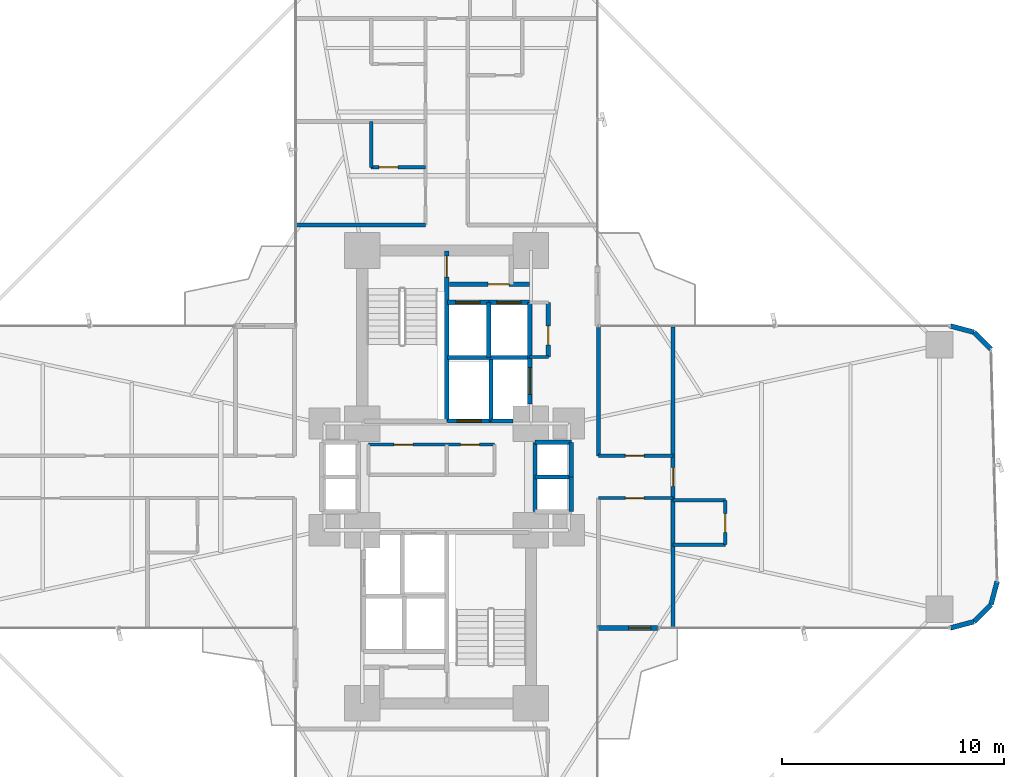
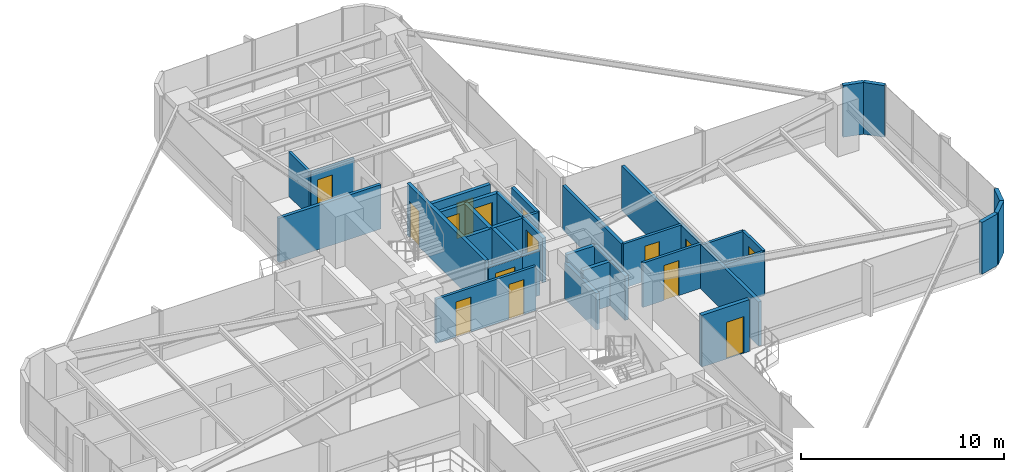
# One storey, part 23 of 25: 35 walls, 15 doors, 15 openings.
"""IFC4 building model written with IfcOpenShell, lengths in metres."""

from ifc_helpers import new_model, si_unit, direction, frame, frame_2d, origin, origin_2d, place, context, subcontext, project, spatial, rectangle, extrude, source, transform, mapped, material, layer, layer_set, type_object, element, fill, save


model = new_model("IFC4")

# Units and contexts
model_context = context("Model", 3, precision=1e-05, world=origin(), true_north=direction((0.0, 1.0)))
body_context = subcontext(model_context, "Body", "Model", "MODEL_VIEW")
ifc_project = project(units=[si_unit("LENGTHUNIT", "METRE"), si_unit("AREAUNIT", "SQUARE_METRE"), si_unit("VOLUMEUNIT", "CUBIC_METRE"), si_unit("PLANEANGLEUNIT", "RADIAN"), si_unit("MASSUNIT", "GRAM", prefix="KILO")], contexts=[model_context])

# Site, building, storey
site_placement = place(None, origin())
site = spatial("IfcSite", under=ifc_project, at=site_placement, CompositionType="ELEMENT")
building_placement = place(site_placement, origin())
building = spatial("IfcBuilding", under=site, at=building_placement, Name="Sahyath Konkavel Grand Hotel", CompositionType="ELEMENT")
storey_placement = place(building_placement, frame((0.0, 0.0, 54.39990234375)))
storey = spatial("IfcBuildingStorey", under=building, at=storey_placement, Name="L14", CompositionType="ELEMENT", Elevation=54.39990234375)

# Wall, opening, door
ifc_material_1 = material(Name="Warm Buff Sandstone Insulated Concrete C40/50", Category="masonry")
ifc_layer_1 = layer(ifc_material_1, 0.219970703125)
ifc_layer_set_1 = layer_set([ifc_layer_1], Name="Warm Buff Sandstone Insulated Concrete C40/50")
wall_type_1 = type_object("IfcWallType", Name="WLL-BALC-THRESH", PredefinedType="STANDARD", material=ifc_layer_set_1)
wall_1_placement = place(storey_placement, frame((6.800048828125, -6.800048828125, 0.0), z_axis=(0.0, 0.0, 1.0), x_axis=(1.0, 0.0, 0.0)))
wall_1 = element("IfcWall", 1, at=wall_1_placement, inside=storey, type_object=wall_type_1, Name="L14 Winter-Garden Threshold Wall 0", PredefinedType="STANDARD", context=body_context, shape_type="SweptSolid", body=[
    extrude(rectangle(XDim=2.699951171875, YDim=0.219970703125, at=frame_2d((1.35009765625, 0.0))), origin(), (0.0, 0.0, 1.0), 3.110107421875),
])
opening_1_placement = place(wall_1_placement, frame((1.39990234375, 0.0, 0.0)))
opening_1 = element("IfcOpeningElement", 2, at=opening_1_placement, cuts=wall_1, Name="Opening D-TR1", PredefinedType="OPENING", context=body_context, shape_type="SweptSolid", body=[
    extrude(rectangle(XDim=1.0, YDim=2.199951171875, at=frame_2d((0.5, 1.10009765625))), frame((0.0, 0.1201171875, 0.0), z_axis=(0.0, -1.0, 0.0), x_axis=(1.0, 0.0, 0.0)), (0.0, 0.0, 1.0), 0.239990234375),
])
ifc_material_2 = material(Name="Anodised Bronze Aluminium & Low-E Glazing", Category="aluminium")
door_type_1 = type_object("IfcDoorType", Name="DR-TERRACE-1000", OperationType="NOTDEFINED", PredefinedType="DOOR", material=ifc_material_2)
shared_shape_1 = source(origin(), body_context, "Body", "SweptSolid", [
    extrude(rectangle(XDim=1.0, YDim=0.050048828125, at=origin_2d()), origin(), (0.0, 0.0, 1.0), 2.199951171875),
])
door_1_placement = place(opening_1_placement, frame((0.5, 0.0, 0.0)))
door_1 = element("IfcDoor", 3, at=door_1_placement, inside=storey, type_object=door_type_1, Name="L14 Winter-Garden Terrace Door 0", OperationType="SINGLE_SWING_LEFT", OverallHeight=2.199951171875, OverallWidth=1.0, PredefinedType="DOOR", context=body_context, shape_type="MappedRepresentation", body=[
    mapped(shared_shape_1, transform((0.0, 0.0, 0.0), scale=1.0)),
])
fill(opening_1, door_1)

# Walls
for number, where, z_axis, x_axis, name in (
    (4, (22.699951171875, -6.800048828125, 0.0), (0.0, 0.0, 1.0), (0.965951058412, 0.25872485917, 0.0), "L14 Rounded Corner Sandstone Pier 1"),
    (5, (23.75, -6.518798828125, 0.0), (0.0, 0.0, 1.0), (0.707106781187, 0.707106781187, 0.0), "L14 Rounded Corner Sandstone Pier 2"),
    (6, (24.518798828125, -5.75, 0.0), (0.0, 0.0, 1.0), (0.25872485917, 0.965951058412, 0.0), "L14 Rounded Corner Sandstone Pier 3"),
    (7, (24.518798828125, 5.75, 0.0), (0.0, 0.0, 1.0), (-0.707106781187, 0.707106781187, 0.0), "L14 Rounded Corner Sandstone Pier 5"),
    (8, (23.75, 6.518798828125, 0.0), (0.0, 0.0, 1.0), (-0.965951058412, 0.25872485917, 0.0), "L14 Rounded Corner Sandstone Pier 6"),
):
    element("IfcWall", number, at=place(storey_placement, frame(where, z_axis=z_axis, x_axis=x_axis)), inside=storey, type_object=wall_type_1, Name=name, PredefinedType="STANDARD", context=body_context, shape_type="SweptSolid", body=[
        extrude(rectangle(XDim=1.087158203125, YDim=0.219970703125, at=frame_2d((0.54345703125, 0.0))), origin(), (0.0, 0.0, 1.0), 3.110107421875),
    ])

# Wall, opening, door
ifc_material_3 = material(Name="Concrete C40/50", Category="concrete")
ifc_layer_2 = layer(ifc_material_3, 0.199951171875)
ifc_layer_set_2 = layer_set([ifc_layer_2], Name="Concrete C40/50")
wall_type_2 = type_object("IfcWallType", Name="WLL-CORE-200", PredefinedType="SOLIDWALL", material=ifc_layer_set_2)
wall_2_placement = place(storey_placement, frame((0.0, 2.5, 0.0), z_axis=(0.0, 0.0, 1.0), x_axis=(0.0, 1.0, 0.0)))
wall_2 = element("IfcWall", 9, at=wall_2_placement, inside=storey, type_object=wall_type_2, Name="L14 Stair ST-1 Shaft Wall E", PredefinedType="SOLIDWALL", context=body_context, shape_type="SweptSolid", body=[
    extrude(rectangle(XDim=7.679931640625, YDim=0.199951171875, at=frame_2d((3.83984375, 0.0))), origin(), (0.0, 0.0, 1.0), 3.110107421875),
])
opening_2_placement = place(wall_2_placement, frame((6.5, 0.0, 0.0)))
opening_2 = element("IfcOpeningElement", 10, at=opening_2_placement, cuts=wall_2, Name="Opening D-F12C", PredefinedType="OPENING", context=body_context, shape_type="SweptSolid", body=[
    extrude(rectangle(XDim=0.949951171875, YDim=2.14990234375, at=frame_2d((0.47509765625, 1.074951171875))), frame((0.0, 0.10986328125, 0.0), z_axis=(0.0, -1.0, 0.0), x_axis=(1.0, 0.0, 0.0)), (0.0, 0.0, 1.0), 0.219970703125),
])
ifc_material_4 = material(Name="Steel E350 Plant Fire Door", Category="steel")
door_type_2 = type_object("IfcDoorType", Name="DR-FD120-950", OperationType="NOTDEFINED", PredefinedType="DOOR", material=ifc_material_4)
shared_shape_2 = source(origin(), body_context, "Body", "SweptSolid", [
    extrude(rectangle(XDim=0.949951171875, YDim=0.050048828125, at=origin_2d()), origin(), (0.0, 0.0, 1.0), 2.14990234375),
])
door_2_placement = place(opening_2_placement, frame((0.47509765625, 0.0, 0.0)))
door_2 = element("IfcDoor", 11, at=door_2_placement, inside=storey, type_object=door_type_2, Name="L14 Stair ST-1 Fire Door", OperationType="SINGLE_SWING_RIGHT", OverallHeight=2.14990234375, OverallWidth=0.949951171875, PredefinedType="DOOR", context=body_context, shape_type="MappedRepresentation", body=[
    mapped(shared_shape_2, transform((0.0, 0.0, 0.0), scale=1.0)),
])
fill(opening_2, door_2)

# Wall
wall_3_placement = place(storey_placement, frame((2.0, 2.5, 0.0), z_axis=(0.0, 0.0, 1.0), x_axis=(0.0, 1.0, 0.0)))
element("IfcWall", 12, at=wall_3_placement, inside=storey, type_object=wall_type_2, Name="L14 Partition SH-FFL1-E", PredefinedType="SOLIDWALL", context=body_context, shape_type="SweptSolid", body=[
    extrude(rectangle(XDim=2.780029296875, YDim=0.199951171875, at=frame_2d((1.39013671875, 0.0))), origin(), (0.0, 0.0, 1.0), 2.66015625),
])

# Wall, opening, door
wall_4_placement = place(storey_placement, frame((0.050048828125, 2.52001953125, 0.0), z_axis=(0.0, 0.0, 1.0), x_axis=(1.0, 0.0, 0.0)))
wall_4 = element("IfcWall", 13, at=wall_4_placement, inside=storey, type_object=wall_type_2, Name="L14 Partition SH-FFL1-S", PredefinedType="SOLIDWALL", context=body_context, shape_type="SweptSolid", body=[
    extrude(rectangle(XDim=1.949951171875, YDim=0.199951171875, at=frame_2d((0.97509765625, 0.0))), origin(), (0.0, 0.0, 1.0), 2.66015625),
])
opening_3_placement = place(wall_4_placement, frame((0.419921875, 0.0, 0.0)))
opening_3 = element("IfcOpeningElement", 14, at=opening_3_placement, cuts=wall_4, Name="Opening LD-11", PredefinedType="OPENING", context=body_context, shape_type="SweptSolid", body=[
    extrude(rectangle(XDim=1.10009765625, YDim=2.199951171875, at=frame_2d((0.550048828125, 1.10009765625))), frame((0.0, 0.10986328125, 0.0), z_axis=(0.0, -1.0, 0.0), x_axis=(1.0, 0.0, 0.0)), (0.0, 0.0, 1.0), 0.219970703125),
])
ifc_material_5 = material(Name="Bronze Lift Landing Door 1100")
door_type_3 = type_object("IfcDoorType", Name="DR-LIFT-1100", OperationType="DOUBLE_DOOR_SLIDING", PredefinedType="DOOR", material=ifc_material_5)
shared_shape_3 = source(origin(), body_context, "Body", "SweptSolid", [
    extrude(rectangle(XDim=1.10009765625, YDim=0.050048828125, at=origin_2d()), origin(), (0.0, 0.0, 1.0), 2.199951171875),
])
door_3_placement = place(opening_3_placement, frame((0.550048828125, 0.0, 0.0)))
door_3 = element("IfcDoor", 15, at=door_3_placement, inside=storey, type_object=door_type_3, Name="L14 Lift FFL-1 Landing Door", OperationType="DOUBLE_DOOR_SLIDING", OverallHeight=2.199951171875, OverallWidth=1.10009765625, PredefinedType="DOOR", context=body_context, shape_type="MappedRepresentation", body=[
    mapped(shared_shape_3, transform((0.0, 0.0, 0.0), scale=1.0)),
])
fill(opening_3, door_3)

# Wall
wall_5_placement = place(storey_placement, frame((2.0, 2.52001953125, 0.0), z_axis=(0.0, 0.0, 1.0), x_axis=(1.0, 0.0, 0.0)))
element("IfcWall", 16, at=wall_5_placement, inside=storey, type_object=wall_type_2, Name="L14 Partition SH-SVL1-S", PredefinedType="SOLIDWALL", context=body_context, shape_type="SweptSolid", body=[
    extrude(rectangle(XDim=1.0, YDim=0.199951171875, at=frame_2d((0.5, 0.0))), origin(), (0.0, 0.0, 1.0), 2.66015625),
])

# Wall, opening, door
wall_6_placement = place(storey_placement, frame((3.739990234375, 3.280029296875, 0.0), z_axis=(0.0, 0.0, 1.0), x_axis=(0.0, 1.0, 0.0)))
wall_6 = element("IfcWall", 17, at=wall_6_placement, inside=storey, type_object=wall_type_2, Name="L14 Partition SH-SVL1-E", PredefinedType="SOLIDWALL", context=body_context, shape_type="SweptSolid", body=[
    extrude(rectangle(XDim=2.080078125, YDim=0.199951171875, at=frame_2d((1.0400390625, 0.0))), origin(), (0.0, 0.0, 1.0), 2.66015625),
])
opening_4_placement = place(wall_6_placement, frame((0.43994140625, 0.0, 0.0)))
opening_4 = element("IfcOpeningElement", 18, at=opening_4_placement, cuts=wall_6, Name="Opening LD-12", PredefinedType="OPENING", context=body_context, shape_type="SweptSolid", body=[
    extrude(rectangle(XDim=1.199951171875, YDim=2.199951171875, at=frame_2d((0.60009765625, 1.10009765625))), frame((0.0, 0.10986328125, 0.0), z_axis=(0.0, -1.0, 0.0), x_axis=(1.0, 0.0, 0.0)), (0.0, 0.0, 1.0), 0.219970703125),
])
ifc_material_6 = material(Name="Stainless Steel Lift Landing Door 1200", Category="steel")
door_type_4 = type_object("IfcDoorType", Name="DR-LIFT-1200", OperationType="DOUBLE_DOOR_SLIDING", PredefinedType="DOOR", material=ifc_material_6)
shared_shape_4 = source(origin(), body_context, "Body", "SweptSolid", [
    extrude(rectangle(XDim=1.199951171875, YDim=0.050048828125, at=origin_2d()), origin(), (0.0, 0.0, 1.0), 2.199951171875),
])
door_4_placement = place(opening_4_placement, frame((0.60009765625, 0.0, 0.0)))
door_4 = element("IfcDoor", 19, at=door_4_placement, inside=storey, type_object=door_type_4, Name="L14 Service Lift SVL-1 Landing Door", OperationType="DOUBLE_DOOR_SLIDING", OverallHeight=2.199951171875, OverallWidth=1.199951171875, PredefinedType="DOOR", context=body_context, shape_type="MappedRepresentation", body=[
    mapped(shared_shape_4, transform((0.0, 0.0, 0.0), scale=1.0)),
])
fill(opening_4, door_4)

# Walls
wall_7_placement = place(storey_placement, frame((0.050048828125, 5.3798828125, 0.0), z_axis=(0.0, 0.0, 1.0), x_axis=(1.0, 0.0, 0.0)))
element("IfcWall", 20, at=wall_7_placement, inside=storey, type_object=wall_type_2, Name="L14 Partition SH-PL12-S", PredefinedType="SOLIDWALL", context=body_context, shape_type="SweptSolid", body=[
    extrude(rectangle(XDim=3.68994140625, YDim=0.199951171875, at=frame_2d((1.844970703125, 0.0))), origin(), (0.0, 0.0, 1.0), 2.66015625),
])
wall_8_placement = place(storey_placement, frame((1.89990234375, 5.3798828125, 0.0), z_axis=(0.0, 0.0, 1.0), x_axis=(0.0, 1.0, 0.0)))
element("IfcWall", 21, at=wall_8_placement, inside=storey, type_object=wall_type_2, Name="L14 Partition SH-PL12-M", PredefinedType="SOLIDWALL", context=body_context, shape_type="SweptSolid", body=[
    extrude(rectangle(XDim=2.480224609375, YDim=0.199951171875, at=frame_2d((1.240234375, 0.0))), origin(), (0.0, 0.0, 1.0), 2.66015625),
])

# Wall, opening, door
wall_9_placement = place(storey_placement, frame((0.050048828125, 7.860107421875, 0.0), z_axis=(0.0, 0.0, 1.0), x_axis=(1.0, 0.0, 0.0)))
wall_9 = element("IfcWall", 22, at=wall_9_placement, inside=storey, type_object=wall_type_2, Name="L14 Partition SH-PL1-N", PredefinedType="SOLIDWALL", context=body_context, shape_type="SweptSolid", body=[
    extrude(rectangle(XDim=1.849853515625, YDim=0.199951171875, at=frame_2d((0.9248046875, 0.0))), origin(), (0.0, 0.0, 1.0), 2.66015625),
])
opening_5_placement = place(wall_9_placement, frame((0.360107421875, 0.0, 0.0)))
opening_5 = element("IfcOpeningElement", 23, at=opening_5_placement, cuts=wall_9, Name="Opening LD-11", PredefinedType="OPENING", context=body_context, shape_type="SweptSolid", body=[
    extrude(rectangle(XDim=1.10009765625, YDim=2.199951171875, at=frame_2d((0.550048828125, 1.10009765625))), frame((0.0, 0.10986328125, 0.0), z_axis=(0.0, -1.0, 0.0), x_axis=(1.0, 0.0, 0.0)), (0.0, 0.0, 1.0), 0.219970703125),
])
door_5_placement = place(opening_5_placement, frame((0.550048828125, 0.0, 0.0)))
door_5 = element("IfcDoor", 24, at=door_5_placement, inside=storey, type_object=door_type_3, Name="L14 Passenger Lift PL-1 Landing Door", OperationType="DOUBLE_DOOR_SLIDING", OverallHeight=2.199951171875, OverallWidth=1.10009765625, PredefinedType="DOOR", context=body_context, shape_type="MappedRepresentation", body=[
    mapped(shared_shape_3, transform((0.0, 0.0, 0.0), scale=1.0)),
])
fill(opening_5, door_5)

# Wall
wall_10_placement = place(storey_placement, frame((3.739990234375, 5.3798828125, 0.0), z_axis=(0.0, 0.0, 1.0), x_axis=(0.0, 1.0, 0.0)))
element("IfcWall", 25, at=wall_10_placement, inside=storey, type_object=wall_type_2, Name="L14 Partition SH-PL2-E", PredefinedType="SOLIDWALL", context=body_context, shape_type="SweptSolid", body=[
    extrude(rectangle(XDim=2.480224609375, YDim=0.199951171875, at=frame_2d((1.240234375, 0.0))), origin(), (0.0, 0.0, 1.0), 2.66015625),
])

# Wall, opening, door
wall_11_placement = place(storey_placement, frame((1.89990234375, 7.860107421875, 0.0), z_axis=(0.0, 0.0, 1.0), x_axis=(1.0, 0.0, 0.0)))
wall_11 = element("IfcWall", 26, at=wall_11_placement, inside=storey, type_object=wall_type_2, Name="L14 Partition SH-PL2-N", PredefinedType="SOLIDWALL", context=body_context, shape_type="SweptSolid", body=[
    extrude(rectangle(XDim=1.840087890625, YDim=0.199951171875, at=frame_2d((0.919921875, 0.0))), origin(), (0.0, 0.0, 1.0), 2.66015625),
])
opening_6_placement = place(wall_11_placement, frame((0.360107421875, 0.0, 0.0)))
opening_6 = element("IfcOpeningElement", 27, at=opening_6_placement, cuts=wall_11, Name="Opening LD-11", PredefinedType="OPENING", context=body_context, shape_type="SweptSolid", body=[
    extrude(rectangle(XDim=1.10009765625, YDim=2.199951171875, at=frame_2d((0.550048828125, 1.10009765625))), frame((0.0, 0.10986328125, 0.0), z_axis=(0.0, -1.0, 0.0), x_axis=(1.0, 0.0, 0.0)), (0.0, 0.0, 1.0), 0.219970703125),
])
door_6_placement = place(opening_6_placement, frame((0.550048828125, 0.0, 0.0)))
door_6 = element("IfcDoor", 28, at=door_6_placement, inside=storey, type_object=door_type_3, Name="L14 Passenger Lift PL-2 Landing Door", OperationType="DOUBLE_DOOR_SLIDING", OverallHeight=2.199951171875, OverallWidth=1.10009765625, PredefinedType="DOOR", context=body_context, shape_type="MappedRepresentation", body=[
    mapped(shared_shape_3, transform((0.0, 0.0, 0.0), scale=1.0)),
])
fill(opening_6, door_6)

# Walls
wall_12_placement = place(storey_placement, frame((3.97998046875, -1.56005859375, 0.0), z_axis=(0.0, 0.0, 1.0), x_axis=(0.0, 1.0, 0.0)))
element("IfcWall", 29, at=wall_12_placement, inside=storey, type_object=wall_type_2, Name="L14 Partition SH-PL56-W", PredefinedType="SOLIDWALL", context=body_context, shape_type="SweptSolid", body=[
    extrude(rectangle(XDim=3.1201171875, YDim=0.199951171875, at=frame_2d((1.56005859375, 0.0))), origin(), (0.0, 0.0, 1.0), 2.18017578125),
])
for number, where, z_axis, x_axis, name in (
    (30, (3.97998046875, 1.56005859375, 0.0), (0.0, 0.0, 1.0), (1.0, 0.0, 0.0), "L14 Partition SH-PL56-N"),
    (31, (3.97998046875, 0.0, 0.0), (0.0, 0.0, 1.0), (1.0, 0.0, 0.0), "L14 Partition SH-PL56-M"),
):
    element("IfcWall", number, at=place(storey_placement, frame(where, z_axis=z_axis, x_axis=x_axis)), inside=storey, type_object=wall_type_2, Name=name, PredefinedType="SOLIDWALL", context=body_context, shape_type="SweptSolid", body=[
        extrude(rectangle(XDim=1.64013671875, YDim=0.199951171875, at=frame_2d((0.820068359375, 0.0))), origin(), (0.0, 0.0, 1.0), 2.66015625),
    ])
for number, where, z_axis, x_axis, name in (
    (32, (5.6201171875, 0.0, 0.0), (0.0, 0.0, 1.0), (0.0, 1.0, 0.0), "L14 Partition SH-PL5-E"),
    (33, (5.6201171875, -1.56005859375, 0.0), (0.0, 0.0, 1.0), (0.0, 1.0, 0.0), "L14 Partition SH-PL6-E"),
):
    element("IfcWall", number, at=place(storey_placement, frame(where, z_axis=z_axis, x_axis=x_axis)), inside=storey, type_object=wall_type_2, Name=name, PredefinedType="SOLIDWALL", context=body_context, shape_type="SweptSolid", body=[
        extrude(rectangle(XDim=1.56005859375, YDim=0.199951171875, at=frame_2d((0.780029296875, 0.0))), origin(), (0.0, 0.0, 1.0), 2.66015625),
    ])

# Wall, opening, door
wall_13_placement = place(storey_placement, frame((0.1201171875, 8.679931640625, 0.0), z_axis=(0.0, 0.0, 1.0), x_axis=(1.0, 0.0, 0.0)))
wall_13 = element("IfcWall", 34, at=wall_13_placement, inside=storey, type_object=wall_type_2, Name="L14 North FF Lobby Separation Wall", PredefinedType="SOLIDWALL", context=body_context, shape_type="SweptSolid", body=[
    extrude(rectangle(XDim=3.619873046875, YDim=0.199951171875, at=frame_2d((1.81005859375, 0.0))), origin(), (0.0, 0.0, 1.0), 2.66015625),
])
opening_7_placement = place(wall_13_placement, frame((1.75, 0.0, 0.0)))
opening_7 = element("IfcOpeningElement", 35, at=opening_7_placement, cuts=wall_13, Name="Opening D-F12C", PredefinedType="OPENING", context=body_context, shape_type="SweptSolid", body=[
    extrude(rectangle(XDim=0.949951171875, YDim=2.14990234375, at=frame_2d((0.47509765625, 1.074951171875))), frame((0.0, 0.10986328125, 0.0), z_axis=(0.0, -1.0, 0.0), x_axis=(1.0, 0.0, 0.0)), (0.0, 0.0, 1.0), 0.219970703125),
])
door_7_placement = place(opening_7_placement, frame((0.47509765625, 0.0, 0.0)))
door_7 = element("IfcDoor", 36, at=door_7_placement, inside=storey, type_object=door_type_2, Name="L14 North Firefighting Lobby Door", OperationType="SINGLE_SWING_LEFT", OverallHeight=2.14990234375, OverallWidth=0.949951171875, PredefinedType="DOOR", context=body_context, shape_type="MappedRepresentation", body=[
    mapped(shared_shape_2, transform((0.0, 0.0, 0.0), scale=1.0)),
])
fill(opening_7, door_7)

wall_14_placement = place(storey_placement, frame((4.580078125, 5.39990234375, 0.0), z_axis=(0.0, 0.0, 1.0), x_axis=(0.0, 1.0, 0.0)))
wall_14 = element("IfcWall", 37, at=wall_14_placement, inside=storey, type_object=wall_type_2, Name="L14 Partition NC-FLK-E", PredefinedType="SOLIDWALL", context=body_context, shape_type="SweptSolid", body=[
    extrude(rectangle(XDim=2.460205078125, YDim=0.199951171875, at=frame_2d((1.22998046875, 0.0))), origin(), (0.0, 0.0, 1.0), 2.66015625),
])
opening_8_placement = place(wall_14_placement, frame((0.550048828125, 0.0, 0.0)))
opening_8 = element("IfcOpeningElement", 38, at=opening_8_placement, cuts=wall_14, Name="Opening D-F06D", PredefinedType="OPENING", context=body_context, shape_type="SweptSolid", body=[
    extrude(rectangle(XDim=0.85009765625, YDim=2.10009765625, at=frame_2d((0.425048828125, 1.050048828125))), frame((0.0, 0.10986328125, 0.0), z_axis=(0.0, -1.0, 0.0), x_axis=(1.0, 0.0, 0.0)), (0.0, 0.0, 1.0), 0.219970703125),
])
ifc_material_7 = material(Name="Fire-Rated Shaft Access Door")
door_type_5 = type_object("IfcDoorType", Name="DR-FD60-850", OperationType="NOTDEFINED", PredefinedType="DOOR", material=ifc_material_7)
shared_shape_5 = source(origin(), body_context, "Body", "SweptSolid", [
    extrude(rectangle(XDim=0.85009765625, YDim=0.050048828125, at=origin_2d()), origin(), (0.0, 0.0, 1.0), 2.10009765625),
])
door_8_placement = place(opening_8_placement, frame((0.425048828125, 0.0, 0.0)))
door_8 = element("IfcDoor", 39, at=door_8_placement, inside=storey, type_object=door_type_5, Name="L14 Door NC-FLK1-D", OperationType="SINGLE_SWING_RIGHT", OverallHeight=2.10009765625, OverallWidth=0.85009765625, PredefinedType="DOOR", context=body_context, shape_type="MappedRepresentation", body=[
    mapped(shared_shape_5, transform((0.0, 0.0, 0.0), scale=1.0)),
])
fill(opening_8, door_8)

# Wall
ifc_material_8 = material(Name="Twin-Stud Acoustic Gypsum Plasterboard Partition")
ifc_layer_3 = layer(ifc_material_8, 0.179931640625)
ifc_layer_set_3 = layer_set([ifc_layer_3], Name="Twin-Stud Acoustic Gypsum Plasterboard Partition")
wall_type_3 = type_object("IfcWallType", Name="WLL-DEMISE-180", PredefinedType="PARTITIONING", material=ifc_layer_set_3)
wall_15_placement = place(storey_placement, frame((6.85009765625, 0.949951171875, 0.0), z_axis=(0.0, 0.0, 1.0), x_axis=(0.0, 1.0, 0.0)))
element("IfcWall", 40, at=wall_15_placement, inside=storey, type_object=wall_type_3, Name="L14 Partition E-INL", PredefinedType="PARTITIONING", context=body_context, shape_type="SweptSolid", body=[
    extrude(rectangle(XDim=5.800048828125, YDim=0.179931640625, at=frame_2d((2.89990234375, 0.0))), origin(), (0.0, 0.0, 1.0), 2.66015625),
])

# Wall, opening, door
wall_16_placement = place(storey_placement, frame((10.199951171875, -6.75, 0.0), z_axis=(0.0, 0.0, 1.0), x_axis=(0.0, 1.0, 0.0)))
wall_16 = element("IfcWall", 41, at=wall_16_placement, inside=storey, type_object=wall_type_3, Name="L14 Partition E-ETIP-END", PredefinedType="PARTITIONING", context=body_context, shape_type="SweptSolid", body=[
    extrude(rectangle(XDim=13.5, YDim=0.179931640625, at=frame_2d((6.75, 0.0))), origin(), (0.0, 0.0, 1.0), 2.66015625),
])
opening_9_placement = place(wall_16_placement, frame((6.324951171875, 0.0, 0.0)))
opening_9 = element("IfcOpeningElement", 42, at=opening_9_placement, cuts=wall_16, Name="Opening D-F06D", PredefinedType="OPENING", context=body_context, shape_type="SweptSolid", body=[
    extrude(rectangle(XDim=0.85009765625, YDim=2.10009765625, at=frame_2d((0.425048828125, 1.050048828125))), frame((0.0, 0.10009765625, 0.0), z_axis=(0.0, -1.0, 0.0), x_axis=(1.0, 0.0, 0.0)), (0.0, 0.0, 1.0), 0.199951171875),
])
door_9_placement = place(opening_9_placement, frame((0.425048828125, 0.0, 0.0)))
door_9 = element("IfcDoor", 43, at=door_9_placement, inside=storey, type_object=door_type_5, Name="L14 Door E-ETIP-ED", OperationType="SINGLE_SWING_RIGHT", OverallHeight=2.10009765625, OverallWidth=0.85009765625, PredefinedType="DOOR", context=body_context, shape_type="MappedRepresentation", body=[
    mapped(shared_shape_5, transform((0.0, 0.0, 0.0), scale=1.0)),
])
fill(opening_9, door_9)

# Walls
wall_17_placement = place(storey_placement, frame((-0.949951171875, 11.35009765625, 0.0), z_axis=(0.0, 0.0, 1.0), x_axis=(-1.0, 0.0, 0.0)))
element("IfcWall", 44, at=wall_17_placement, inside=storey, type_object=wall_type_3, Name="L14 Partition N-INL", PredefinedType="PARTITIONING", context=body_context, shape_type="SweptSolid", body=[
    extrude(rectangle(XDim=5.800048828125, YDim=0.179931640625, at=frame_2d((2.89990234375, 0.0))), origin(), (0.0, 0.0, 1.0), 2.66015625),
])
ifc_material_9 = material(Name="Fire-Rated Gypsum Plasterboard Partition")
ifc_layer_4 = layer(ifc_material_9, 0.14990234375)
ifc_layer_set_4 = layer_set([ifc_layer_4], Name="Fire-Rated Gypsum Plasterboard Partition")
wall_type_4 = type_object("IfcWallType", Name="WLL-PART-150", PredefinedType="PARTITIONING", material=ifc_layer_set_4)
wall_18_placement = place(storey_placement, frame((3.739990234375, 5.39990234375, 0.0), z_axis=(0.0, 0.0, 1.0), x_axis=(1.0, 0.0, 0.0)))
element("IfcWall", 45, at=wall_18_placement, inside=storey, type_object=wall_type_4, Name="L14 Partition NC-FLK-S", PredefinedType="PARTITIONING", context=body_context, shape_type="SweptSolid", body=[
    extrude(rectangle(XDim=0.840087890625, YDim=0.14990234375, at=frame_2d((0.419921875, 0.0))), origin(), (0.0, 0.0, 1.0), 2.66015625),
])

# Wall, openings, doors
wall_19_placement = place(storey_placement, frame((-3.52001953125, 1.4599609375, 0.0), z_axis=(0.0, 0.0, 1.0), x_axis=(1.0, 0.0, 0.0)))
wall_19 = element("IfcWall", 46, at=wall_19_placement, inside=storey, type_object=wall_type_4, Name="L14 Partition CC-N0", PredefinedType="PARTITIONING", context=body_context, shape_type="SweptSolid", body=[
    extrude(rectangle(XDim=5.679931640625, YDim=0.14990234375, at=frame_2d((2.83984375, 0.0))), origin(), (0.0, 0.0, 1.0), 2.66015625),
])
opening_10_placement = place(wall_19_placement, frame((1.14990234375, 0.0, 0.0)))
opening_10 = element("IfcOpeningElement", 47, at=opening_10_placement, cuts=wall_19, Name="Opening D-F06D", PredefinedType="OPENING", context=body_context, shape_type="SweptSolid", body=[
    extrude(rectangle(XDim=0.85009765625, YDim=2.10009765625, at=frame_2d((0.425048828125, 1.050048828125))), frame((0.0, 0.0849609375, 0.0), z_axis=(0.0, -1.0, 0.0), x_axis=(1.0, 0.0, 0.0)), (0.0, 0.0, 1.0), 0.169921875),
])
opening_11_placement = place(wall_19_placement, frame((4.14990234375, 0.0, 0.0)))
opening_11 = element("IfcOpeningElement", 48, at=opening_11_placement, cuts=wall_19, Name="Opening D-F06D", PredefinedType="OPENING", context=body_context, shape_type="SweptSolid", body=[
    extrude(rectangle(XDim=0.85009765625, YDim=2.10009765625, at=frame_2d((0.425048828125, 1.050048828125))), frame((0.0, 0.0849609375, 0.0), z_axis=(0.0, -1.0, 0.0), x_axis=(1.0, 0.0, 0.0)), (0.0, 0.0, 1.0), 0.169921875),
])
door_10_placement = place(opening_10_placement, frame((0.425048828125, 0.0, 0.0)))
door_10 = element("IfcDoor", 49, at=door_10_placement, inside=storey, type_object=door_type_5, Name="L14 Door CC-D0A", OperationType="SINGLE_SWING_LEFT", OverallHeight=2.10009765625, OverallWidth=0.85009765625, PredefinedType="DOOR", context=body_context, shape_type="MappedRepresentation", body=[
    mapped(shared_shape_5, transform((0.0, 0.0, 0.0), scale=1.0)),
])
fill(opening_10, door_10)
door_11_placement = place(opening_11_placement, frame((0.425048828125, 0.0, 0.0)))
door_11 = element("IfcDoor", 50, at=door_11_placement, inside=storey, type_object=door_type_5, Name="L14 Door CC-D0B", OperationType="SINGLE_SWING_RIGHT", OverallHeight=2.10009765625, OverallWidth=0.85009765625, PredefinedType="DOOR", context=body_context, shape_type="MappedRepresentation", body=[
    mapped(shared_shape_5, transform((0.0, 0.0, 0.0), scale=1.0)),
])
fill(opening_11, door_11)

# Wall, opening, door
wall_20_placement = place(storey_placement, frame((6.85009765625, 0.949951171875, 0.0), z_axis=(0.0, 0.0, 1.0), x_axis=(1.0, 0.0, 0.0)))
wall_20 = element("IfcWall", 51, at=wall_20_placement, inside=storey, type_object=wall_type_4, Name="L14 Partition E-CL", PredefinedType="PARTITIONING", context=body_context, shape_type="SweptSolid", body=[
    extrude(rectangle(XDim=3.349853515625, YDim=0.14990234375, at=frame_2d((1.6748046875, 0.0))), origin(), (0.0, 0.0, 1.0), 2.66015625),
])
opening_12_placement = place(wall_20_placement, frame((1.199951171875, 0.0, 0.0)))
opening_12 = element("IfcOpeningElement", 52, at=opening_12_placement, cuts=wall_20, Name="Opening D-F06D", PredefinedType="OPENING", context=body_context, shape_type="SweptSolid", body=[
    extrude(rectangle(XDim=0.85009765625, YDim=2.10009765625, at=frame_2d((0.425048828125, 1.050048828125))), frame((0.0, 0.0849609375, 0.0), z_axis=(0.0, -1.0, 0.0), x_axis=(1.0, 0.0, 0.0)), (0.0, 0.0, 1.0), 0.169921875),
])
door_12_placement = place(opening_12_placement, frame((0.425048828125, 0.0, 0.0)))
door_12 = element("IfcDoor", 53, at=door_12_placement, inside=storey, type_object=door_type_5, Name="L14 Door E-ES3L-D", OperationType="SINGLE_SWING_LEFT", OverallHeight=2.10009765625, OverallWidth=0.85009765625, PredefinedType="DOOR", context=body_context, shape_type="MappedRepresentation", body=[
    mapped(shared_shape_5, transform((0.0, 0.0, 0.0), scale=1.0)),
])
fill(opening_12, door_12)

wall_21_placement = place(storey_placement, frame((6.85009765625, -0.949951171875, 0.0), z_axis=(0.0, 0.0, 1.0), x_axis=(1.0, 0.0, 0.0)))
wall_21 = element("IfcWall", 54, at=wall_21_placement, inside=storey, type_object=wall_type_4, Name="L14 Partition E-CR", PredefinedType="PARTITIONING", context=body_context, shape_type="SweptSolid", body=[
    extrude(rectangle(XDim=3.349853515625, YDim=0.14990234375, at=frame_2d((1.6748046875, 0.0))), origin(), (0.0, 0.0, 1.0), 2.66015625),
])
opening_13_placement = place(wall_21_placement, frame((1.199951171875, 0.0, 0.0)))
opening_13 = element("IfcOpeningElement", 55, at=opening_13_placement, cuts=wall_21, Name="Opening D-F06D", PredefinedType="OPENING", context=body_context, shape_type="SweptSolid", body=[
    extrude(rectangle(XDim=0.85009765625, YDim=2.10009765625, at=frame_2d((0.425048828125, 1.050048828125))), frame((0.0, 0.0849609375, 0.0), z_axis=(0.0, -1.0, 0.0), x_axis=(1.0, 0.0, 0.0)), (0.0, 0.0, 1.0), 0.169921875),
])
door_13_placement = place(opening_13_placement, frame((0.425048828125, 0.0, 0.0)))
door_13 = element("IfcDoor", 56, at=door_13_placement, inside=storey, type_object=door_type_5, Name="L14 Door E-EHK-D", OperationType="SINGLE_SWING_RIGHT", OverallHeight=2.10009765625, OverallWidth=0.85009765625, PredefinedType="DOOR", context=body_context, shape_type="MappedRepresentation", body=[
    mapped(shared_shape_5, transform((0.0, 0.0, 0.0), scale=1.0)),
])
fill(opening_13, door_13)

# Walls
wall_22_placement = place(storey_placement, frame((10.199951171875, -1.050048828125, 0.0), z_axis=(0.0, 0.0, 1.0), x_axis=(1.0, 0.0, 0.0)))
element("IfcWall", 57, at=wall_22_placement, inside=storey, type_object=wall_type_4, Name="L14 Partition E-ETIP-BN", PredefinedType="PARTITIONING", context=body_context, shape_type="SweptSolid", body=[
    extrude(rectangle(XDim=2.35009765625, YDim=0.14990234375, at=frame_2d((1.175048828125, 0.0))), origin(), (0.0, 0.0, 1.0), 2.66015625),
])
wall_23_placement = place(storey_placement, frame((10.199951171875, -3.050048828125, 0.0), z_axis=(0.0, 0.0, 1.0), x_axis=(1.0, 0.0, 0.0)))
element("IfcWall", 58, at=wall_23_placement, inside=storey, type_object=wall_type_4, Name="L14 Partition E-ETIP-BS", PredefinedType="PARTITIONING", context=body_context, shape_type="SweptSolid", body=[
    extrude(rectangle(XDim=2.35009765625, YDim=0.14990234375, at=frame_2d((1.175048828125, 0.0))), origin(), (0.0, 0.0, 1.0), 2.630126953125),
])

# Wall, opening, door
wall_24_placement = place(storey_placement, frame((12.550048828125, -3.050048828125, 0.0), z_axis=(0.0, 0.0, 1.0), x_axis=(0.0, 1.0, 0.0)))
wall_24 = element("IfcWall", 59, at=wall_24_placement, inside=storey, type_object=wall_type_4, Name="L14 Partition E-ETIP-BE", PredefinedType="PARTITIONING", context=body_context, shape_type="SweptSolid", body=[
    extrude(rectangle(XDim=2.0, YDim=0.14990234375, at=frame_2d((1.0, 0.0))), origin(), (0.0, 0.0, 1.0), 2.66015625),
])
opening_14_placement = place(wall_24_placement, frame((0.550048828125, 0.0, 0.0)))
opening_14 = element("IfcOpeningElement", 60, at=opening_14_placement, cuts=wall_24, Name="Opening D-BT85", PredefinedType="OPENING", context=body_context, shape_type="SweptSolid", body=[
    extrude(rectangle(XDim=0.85009765625, YDim=2.10009765625, at=frame_2d((0.425048828125, 1.050048828125))), frame((0.0, 0.0849609375, 0.0), z_axis=(0.0, -1.0, 0.0), x_axis=(1.0, 0.0, 0.0)), (0.0, 0.0, 1.0), 0.169921875),
])
ifc_material_10 = material(Name="Moisture-Resistant Teak Bathroom Door")
door_type_6 = type_object("IfcDoorType", Name="DR-BATH-850", OperationType="NOTDEFINED", PredefinedType="DOOR", material=ifc_material_10)
door_14_placement = place(opening_14_placement, frame((0.425048828125, 0.0, 0.0)))
door_14 = element("IfcDoor", 61, at=door_14_placement, inside=storey, type_object=door_type_6, Name="L14 Door E-ETIP-BD", OperationType="SINGLE_SWING_LEFT", OverallHeight=2.10009765625, OverallWidth=0.85009765625, PredefinedType="DOOR", context=body_context, shape_type="MappedRepresentation", body=[
    mapped(shared_shape_5, transform((0.0, 0.0, 0.0), scale=1.0)),
])
fill(opening_14, door_14)

wall_25_placement = place(storey_placement, frame((-0.949951171875, 13.949951171875, 0.0), z_axis=(0.0, 0.0, 1.0), x_axis=(-1.0, 0.0, 0.0)))
wall_25 = element("IfcWall", 62, at=wall_25_placement, inside=storey, type_object=wall_type_4, Name="L14 Partition N-N4L1-BS", PredefinedType="PARTITIONING", context=body_context, shape_type="SweptSolid", body=[
    extrude(rectangle(XDim=2.449951171875, YDim=0.14990234375, at=frame_2d((1.22509765625, 0.0))), origin(), (0.0, 0.0, 1.0), 2.66015625),
])
opening_15_placement = place(wall_25_placement, frame((1.25, 0.0, 0.0)))
opening_15 = element("IfcOpeningElement", 63, at=opening_15_placement, cuts=wall_25, Name="Opening D-BT85", PredefinedType="OPENING", context=body_context, shape_type="SweptSolid", body=[
    extrude(rectangle(XDim=0.85009765625, YDim=2.10009765625, at=frame_2d((0.425048828125, 1.050048828125))), frame((0.0, 0.0849609375, 0.0), z_axis=(0.0, -1.0, 0.0), x_axis=(1.0, 0.0, 0.0)), (0.0, 0.0, 1.0), 0.169921875),
])
door_15_placement = place(opening_15_placement, frame((0.425048828125, 0.0, 0.0)))
door_15 = element("IfcDoor", 64, at=door_15_placement, inside=storey, type_object=door_type_6, Name="L14 Door N-N4L1-BD", OperationType="SINGLE_SWING_LEFT", OverallHeight=2.10009765625, OverallWidth=0.85009765625, PredefinedType="DOOR", context=body_context, shape_type="MappedRepresentation", body=[
    mapped(shared_shape_5, transform((0.0, 0.0, 0.0), scale=1.0)),
])
fill(opening_15, door_15)

# Wall
wall_26_placement = place(storey_placement, frame((-3.39990234375, 13.949951171875, 0.0), z_axis=(0.0, 0.0, 1.0), x_axis=(0.0, 1.0, 0.0)))
element("IfcWall", 65, at=wall_26_placement, inside=storey, type_object=wall_type_4, Name="L14 Partition N-N4L1-BF", PredefinedType="PARTITIONING", context=body_context, shape_type="SweptSolid", body=[
    extrude(rectangle(XDim=2.050048828125, YDim=0.14990234375, at=frame_2d((1.02490234375, 0.0))), origin(), (0.0, 0.0, 1.0), 2.66015625),
])

save(model, "model.ifc")
